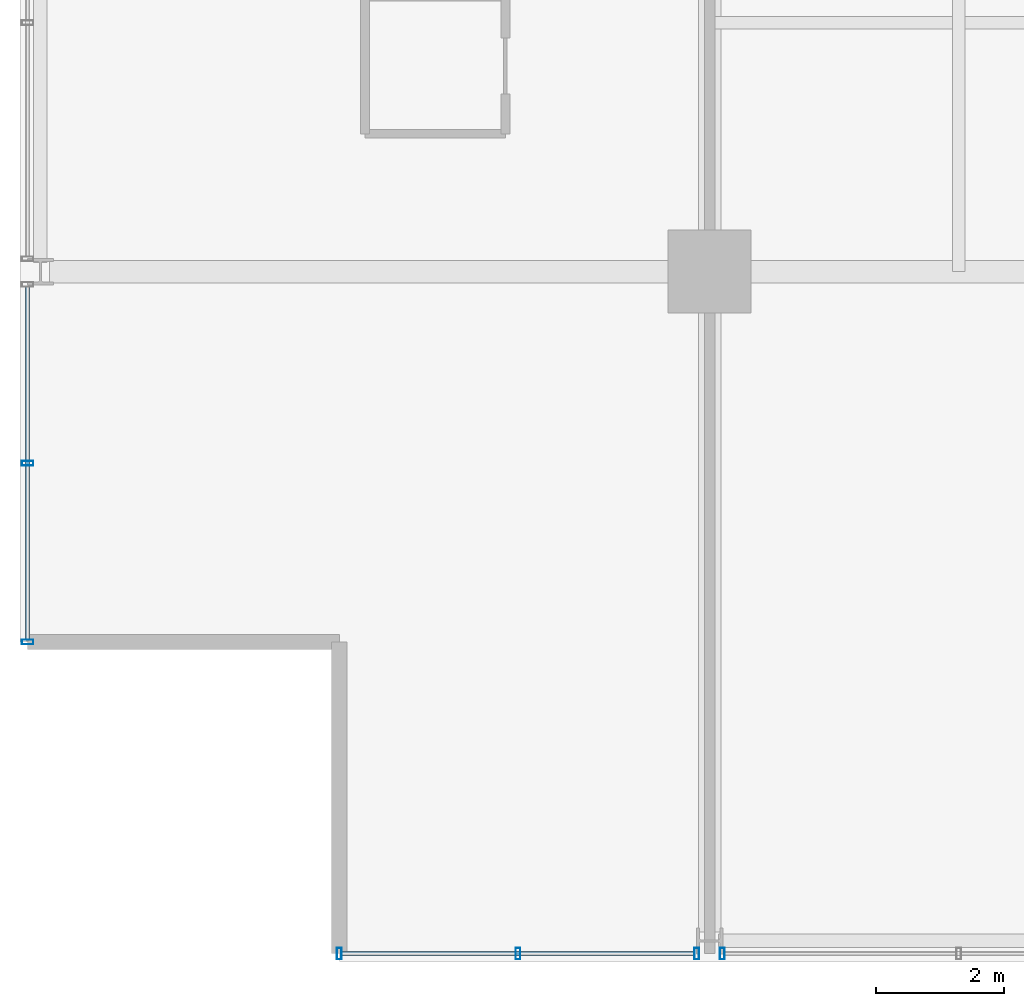
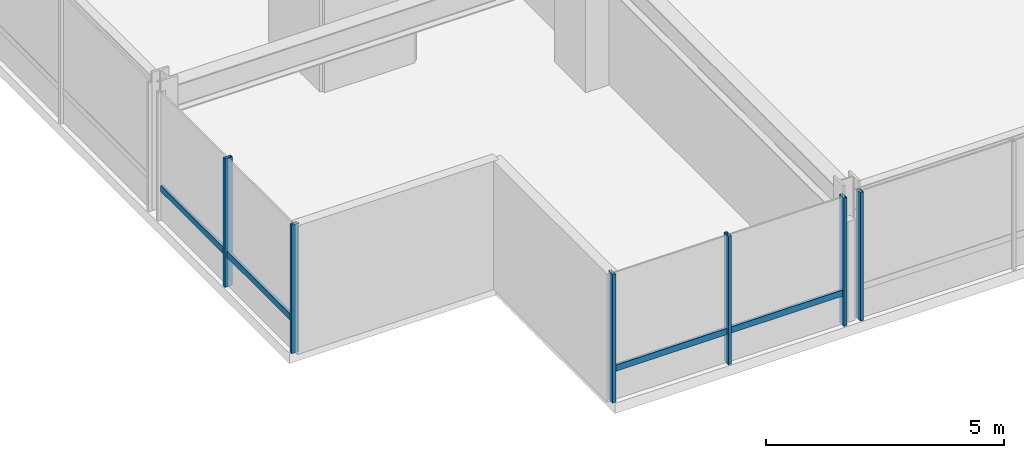
# One storey, part 2 of 32: 8 members, 3 elements without a shape of their own.
"""IFC4 building model written with IfcOpenShell, lengths in metres."""

from ifc_helpers import new_model, si_unit, direction, frame, origin, origin_2d, place, context, subcontext, project, spatial, hollow_rectangle, extrude, material, layer, layer_set, material_profile, profile_set, type_object, element, aggregate, save


model = new_model("IFC4")

# Units and contexts
model_context = context("Model", 3, precision=1e-05, world=origin(), true_north=direction((0.0, 1.0)))
body_context = subcontext(model_context, "Body", "Model", "MODEL_VIEW")
ifc_project = project(units=[si_unit("LENGTHUNIT", "METRE"), si_unit("AREAUNIT", "SQUARE_METRE"), si_unit("VOLUMEUNIT", "CUBIC_METRE"), si_unit("PLANEANGLEUNIT", "RADIAN"), si_unit("MASSUNIT", "GRAM", prefix="KILO")], contexts=[model_context])

# Site, building, storey
site_placement = place(None, origin())
site = spatial("IfcSite", under=ifc_project, at=site_placement, CompositionType="ELEMENT")
building_placement = place(site_placement, origin())
building = spatial("IfcBuilding", under=site, at=building_placement, Name="Drelvath Grand Hotel", CompositionType="ELEMENT")
storey_placement = place(building_placement, frame((0.0, 0.0, 164.60009765625)))
storey = spatial("IfcBuildingStorey", under=building, at=storey_placement, Name="L42", CompositionType="ELEMENT", Elevation=164.60009765625)

# Curtain wall, member
ifc_material = material(Name="Brushed Pale-Silver Anodised Aluminium Frame", Category="aluminium")
ifc_layer = layer(ifc_material, 0.199951171875)
ifc_layer_set = layer_set([ifc_layer], Name="Brushed Pale-Silver Anodised Aluminium Frame")
curtain_wall_type = type_object("IfcCurtainWallType", Name="Stick Curtain Wall CW-04 Brushed Silver Upper-Mid", PredefinedType="NOTDEFINED", material=ifc_layer_set)
curtain_wall_1_placement = place(storey_placement, origin())
curtain_wall_1 = element("IfcCurtainWall", 1, at=curtain_wall_1_placement, inside=storey, type_object=curtain_wall_type, Name="L42 CW-04 Curtain Wall CW04-L42-WS1", PredefinedType="NOTDEFINED")
ifc_material_profile_1 = material_profile(ifc_material, hollow_rectangle(XDim=0.06494140625, YDim=0.159912109375, WallThickness=0.00390625, at=origin_2d()), Name="HSS160X65X4")
ifc_profile_set_1 = profile_set([ifc_material_profile_1], Name="Brushed Pale-Silver Anodised Aluminium Frame")
member_type_1 = type_object("IfcMemberType", Name="Curtain Wall Horizontal Transom CW-04 HSS160X65X4", PredefinedType="USERDEFINED", material=ifc_profile_set_1)
member_1_placement = place(storey_placement, frame((-26.8798828125, 5.0400390625, 0.822509765625), z_axis=(0.0, 1.0, 0.0), x_axis=(-1.0, 0.0, 0.0)))
member_1 = element("IfcMember", 2, at=member_1_placement, type_object=member_type_1, Name="CW04-L42-WS1 Sill Transom", ObjectType="TRANSOM", PredefinedType="USERDEFINED", context=body_context, shape_type="SweptSolid", body=[
    extrude(hollow_rectangle(XDim=0.06494140625, YDim=0.159912109375, WallThickness=0.00390625, at=origin_2d()), origin(), (0.0, 0.0, 1.0), 5.519775390625),
])

curtain_wall_2_placement = place(storey_placement, origin())
curtain_wall_2 = element("IfcCurtainWall", 3, at=curtain_wall_2_placement, inside=storey, type_object=curtain_wall_type, Name="L42 CW-04 Curtain Wall CW04-L42-SW1", PredefinedType="NOTDEFINED")
member_2_placement = place(storey_placement, frame((-16.440185546875, 0.1201171875, 0.822509765625), z_axis=(-1.0, 0.0, 0.0), x_axis=(0.0, -1.0, 0.0)))
member_2 = element("IfcMember", 4, at=member_2_placement, type_object=member_type_1, Name="CW04-L42-SW1 Sill Transom", ObjectType="TRANSOM", PredefinedType="USERDEFINED", context=body_context, shape_type="SweptSolid", body=[
    extrude(hollow_rectangle(XDim=0.06494140625, YDim=0.159912109375, WallThickness=0.00390625, at=origin_2d()), origin(), (0.0, 0.0, 1.0), 5.519775390625),
])

# Member
ifc_material_profile_2 = material_profile(ifc_material, hollow_rectangle(XDim=0.074951171875, YDim=0.179931640625, WallThickness=0.0048828125, at=origin_2d()), Name="HSS180X75X5")
ifc_profile_set_2 = profile_set([ifc_material_profile_2], Name="Brushed Pale-Silver Anodised Aluminium Frame")
member_type_2 = type_object("IfcMemberType", Name="Curtain Wall Vertical Mullion CW-04 HSS180X75X5", PredefinedType="MULLION", material=ifc_profile_set_2)
member_3_placement = place(storey_placement, frame((-26.8798828125, 5.0, 0.0), z_axis=(0.0, 0.0, 1.0), x_axis=(0.0, 1.0, 0.0)))
member_3 = element("IfcMember", 5, at=member_3_placement, type_object=member_type_2, Name="CW04-L42-WS1 Mullion 1", PredefinedType="MULLION", context=body_context, shape_type="SweptSolid", body=[
    extrude(hollow_rectangle(XDim=0.074951171875, YDim=0.179931640625, WallThickness=0.0048828125, at=origin_2d()), origin(), (0.0, 0.0, 1.0), 3.289794921875),
])

member_4_placement = place(storey_placement, frame((-26.8798828125, 7.7998046875, 0.0), z_axis=(0.0, 0.0, 1.0), x_axis=(0.0, 1.0, 0.0)))
member_4 = element("IfcMember", 6, at=member_4_placement, type_object=member_type_2, Name="CW04-L42-WS1 Mullion 2", PredefinedType="MULLION", context=body_context, shape_type="SweptSolid", body=[
    extrude(hollow_rectangle(XDim=0.074951171875, YDim=0.179931640625, WallThickness=0.0048828125, at=origin_2d()), origin(), (0.0, 0.0, 1.0), 3.289794921875),
])

aggregate(curtain_wall_1, [member_3, member_4, member_1])

member_5_placement = place(storey_placement, frame((-16.400146484375, 0.1201171875, 0.0), z_axis=(0.0, 0.0, 1.0), x_axis=(1.0, 0.0, 0.0)))
member_5 = element("IfcMember", 7, at=member_5_placement, type_object=member_type_2, Name="CW04-L42-SW1 Mullion 1", PredefinedType="MULLION", context=body_context, shape_type="SweptSolid", body=[
    extrude(hollow_rectangle(XDim=0.074951171875, YDim=0.179931640625, WallThickness=0.0048828125, at=origin_2d()), origin(), (0.0, 0.0, 1.0), 3.289794921875),
])

member_6_placement = place(storey_placement, frame((-19.199951171875, 0.1201171875, 0.0), z_axis=(0.0, 0.0, 1.0), x_axis=(1.0, 0.0, 0.0)))
member_6 = element("IfcMember", 8, at=member_6_placement, type_object=member_type_2, Name="CW04-L42-SW1 Mullion 2", PredefinedType="MULLION", context=body_context, shape_type="SweptSolid", body=[
    extrude(hollow_rectangle(XDim=0.074951171875, YDim=0.179931640625, WallThickness=0.0048828125, at=origin_2d()), origin(), (0.0, 0.0, 1.0), 3.289794921875),
])

member_7_placement = place(storey_placement, frame((-22.0, 0.1201171875, 0.0), z_axis=(0.0, 0.0, 1.0), x_axis=(1.0, 0.0, 0.0)))
member_7 = element("IfcMember", 9, at=member_7_placement, type_object=member_type_2, Name="CW04-L42-SW1 Mullion 3", PredefinedType="MULLION", context=body_context, shape_type="SweptSolid", body=[
    extrude(hollow_rectangle(XDim=0.074951171875, YDim=0.179931640625, WallThickness=0.0048828125, at=origin_2d()), origin(), (0.0, 0.0, 1.0), 3.289794921875),
])

aggregate(curtain_wall_2, [member_5, member_6, member_7, member_2])

# Curtain wall, member
curtain_wall_3_placement = place(storey_placement, origin())
curtain_wall_3 = element("IfcCurtainWall", 10, at=curtain_wall_3_placement, inside=storey, type_object=curtain_wall_type, Name="L42 CW-04 Curtain Wall CW04-L42-SW2", PredefinedType="NOTDEFINED")
member_8_placement = place(storey_placement, frame((-16.0, 0.1201171875, 0.0), z_axis=(0.0, 0.0, 1.0), x_axis=(1.0, 0.0, 0.0)))
member_8 = element("IfcMember", 11, at=member_8_placement, type_object=member_type_2, Name="CW04-L42-SW2 Mullion 3", PredefinedType="MULLION", context=body_context, shape_type="SweptSolid", body=[
    extrude(hollow_rectangle(XDim=0.074951171875, YDim=0.179931640625, WallThickness=0.0048828125, at=origin_2d()), origin(), (0.0, 0.0, 1.0), 3.289794921875),
])
aggregate(curtain_wall_3, [member_8])

save(model, "model.ifc")
